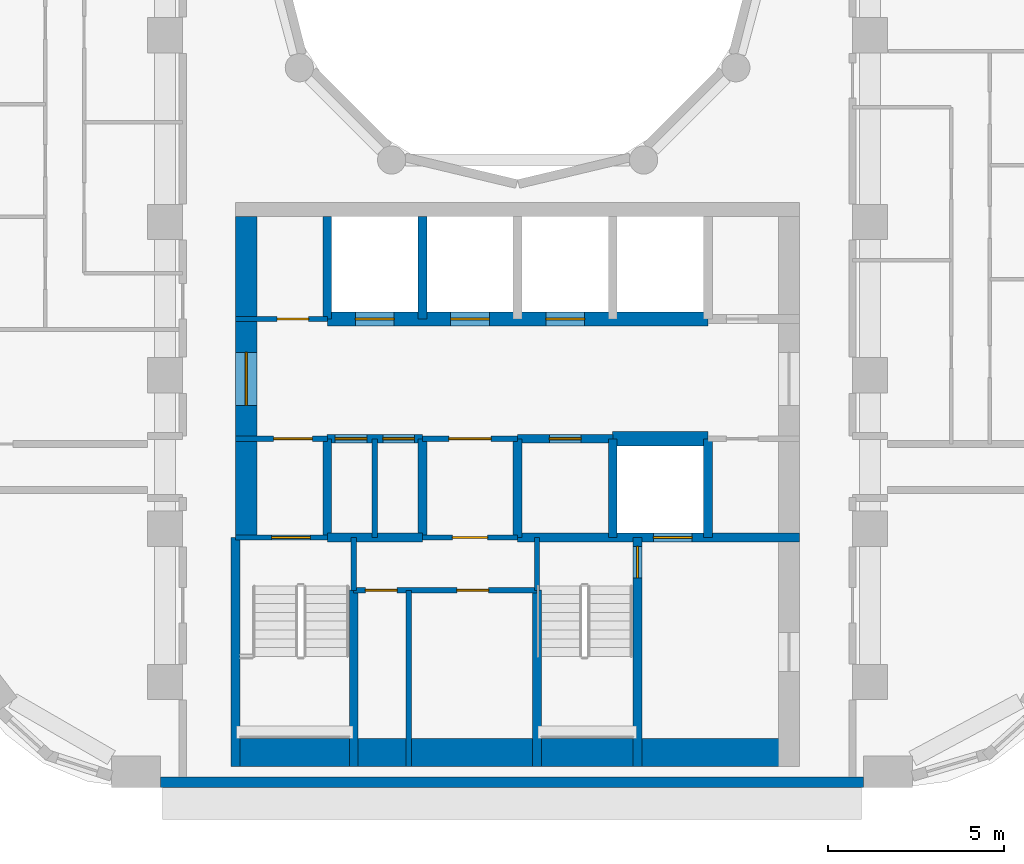
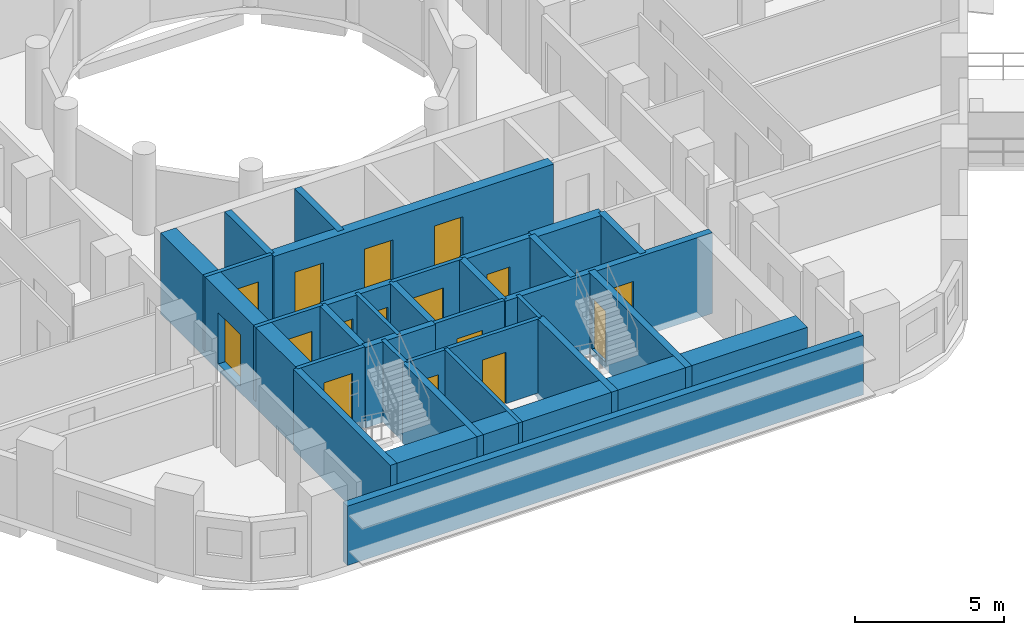
# One storey, part 3 of 14: 30 walls, 16 doors, 16 openings.
"""IFC4 building model written with IfcOpenShell, lengths in metres."""

import ifcopenshell
import ifcopenshell.guid

model = None  # the IFC model being written
_history = None  # IfcOwnerHistory: only IFC2X3 demands one
_inside = {}  # id of a spatial element -> (the spatial element, [elements in it])
_under = {}  # id of a project, library or spatial element -> (it, [spatial elements below it])
_declared = {}  # id of a project -> (the project, [libraries it declares])
_typed = {}  # id of a type object -> (the type object, [elements of that type])
_made_of = {}  # id of a material, layer set ... -> (it, [elements and type objects made of it])


def new_model(schema):
    """Start an empty IFC model of exactly this schema.

    Asked for "IFC4X3", IfcOpenShell would pick the latest addendum, in which some entities
    have other attributes; the version numbers below select the first issue.
    IFC2X3 requires an IfcOwnerHistory on every rooted entity: one is made here for all.
    """
    global model, _history
    if schema == "IFC4X3":
        model = ifcopenshell.file(schema_version=(4, 3, 0, 0))
    else:
        model = ifcopenshell.file(schema=schema)
    _inside.clear()
    _under.clear()
    _declared.clear()
    _typed.clear()
    _made_of.clear()
    _history = None
    if model.schema == "IFC2X3":
        org = make("IfcOrganization", Name="unknown")
        user = make(
            "IfcPersonAndOrganization",
            ThePerson=make("IfcPerson", FamilyName="unknown"),
            TheOrganization=org,
        )
        app = make(
            "IfcApplication",
            ApplicationDeveloper=org,
            Version="unknown",
            ApplicationFullName="unknown",
            ApplicationIdentifier="unknown",
        )
        _history = make(
            "IfcOwnerHistory",
            OwningUser=user,
            OwningApplication=app,
            ChangeAction="ADDED",
            CreationDate=0,
        )
    return model


def make(cls, **values):
    """One entity of the class cls with the attributes given. An attribute that is None is left unset."""
    return model.create_entity(
        cls, **{name: value for name, value in values.items() if value is not None}
    )


def rooted(cls, **values):
    """An entity with a GlobalId (a new one), such as an element, a storey or a relation."""
    return make(cls, GlobalId=ifcopenshell.guid.new(), OwnerHistory=_history, **values)


def si_unit(unit_type, name, prefix=None):
    """IfcSIUnit, for example si_unit("LENGTHUNIT", "METRE", prefix="MILLI")."""
    return make("IfcSIUnit", UnitType=unit_type, Prefix=prefix, Name=name)


def assignment(units):
    """IfcUnitAssignment: the units of a project."""
    return None if units is None else make("IfcUnitAssignment", Units=units)


def point(xyz):
    """IfcCartesianPoint."""
    return None if xyz is None else make("IfcCartesianPoint", Coordinates=xyz)


def direction(xyz):
    """IfcDirection."""
    return None if xyz is None else make("IfcDirection", DirectionRatios=xyz)


def frame(location, z_axis=None, x_axis=None):
    """IfcAxis2Placement3D, a coordinate frame: its origin and axes. An axis left out is left unset."""
    return make(
        "IfcAxis2Placement3D",
        Location=point(location),
        Axis=direction(z_axis),
        RefDirection=direction(x_axis),
    )


def frame_2d(location, x_axis=None):
    """IfcAxis2Placement2D, a coordinate frame in the plane: its origin and x axis."""
    return make(
        "IfcAxis2Placement2D", Location=point(location), RefDirection=direction(x_axis)
    )


def origin():
    """The frame at (0, 0, 0) with its axes left unset."""
    return frame((0.0, 0.0, 0.0))


def place(relative_to, where):
    """IfcLocalPlacement: puts the frame where relative to a parent placement (None: the world)."""
    return make(
        "IfcLocalPlacement", PlacementRelTo=relative_to, RelativePlacement=where
    )


def context(
    kind, dimensions, precision=None, world=None, true_north=None, identifier=None
):
    """IfcGeometricRepresentationContext, for example the 3D "Model" context."""
    return make(
        "IfcGeometricRepresentationContext",
        ContextIdentifier=identifier,
        ContextType=kind,
        CoordinateSpaceDimension=dimensions,
        Precision=precision,
        WorldCoordinateSystem=world,
        TrueNorth=true_north,
    )


def subcontext(parent, identifier, kind, view, scale=None):
    """IfcGeometricRepresentationSubContext, for example "Body" below "Model"."""
    return make(
        "IfcGeometricRepresentationSubContext",
        ContextIdentifier=identifier,
        ContextType=kind,
        ParentContext=parent,
        TargetScale=scale,
        TargetView=view,
    )


def project(units=None, contexts=None):
    """IfcProject with its units and contexts."""
    return rooted(
        "IfcProject",
        Name="project",
        RepresentationContexts=contexts,
        UnitsInContext=assignment(units),
    )


def spatial(cls, under=None, at=None, **own):
    """A site, building, storey or space (cls), placed at a placement, below another one or the project."""
    s = rooted(cls, ObjectPlacement=at, **own)
    if under is not None:
        _under.setdefault(under.id(), (under, []))[1].append(s)
    return s


def profile(cls, at=None, kind="AREA", **sizes):
    """A parametric profile (cls). Its sizes go by their IFC names, for example OverallWidth=200.0."""
    return make(cls, ProfileType=kind, Position=at, **sizes)


def rectangle(**sizes):
    """IfcRectangleProfileDef."""
    return profile("IfcRectangleProfileDef", **sizes)


def extrude(swept, where, along, depth):
    """IfcExtrudedAreaSolid: the profile swept, set in the frame where, extruded along a direction by depth."""
    return make(
        "IfcExtrudedAreaSolid",
        SweptArea=swept,
        Position=where,
        ExtrudedDirection=direction(along),
        Depth=depth,
    )


def shape(context_of_items, identifier, shape_type, items):
    """IfcShapeRepresentation: the items that make up one representation, for example the "Body"."""
    return make(
        "IfcShapeRepresentation",
        ContextOfItems=context_of_items,
        RepresentationIdentifier=identifier,
        RepresentationType=shape_type,
        Items=items,
    )


def material(Name=None, Category=None):
    """IfcMaterial."""
    return make("IfcMaterial", Name=Name, Category=Category)


def layer(
    of_material, thickness, ventilated=None, Name=None, Category=None, Priority=None
):
    """IfcMaterialLayer: one layer of a wall or slab, of a material (None: an air gap)."""
    return make(
        "IfcMaterialLayer",
        Material=of_material,
        LayerThickness=thickness,
        IsVentilated=ventilated,
        Name=Name,
        Category=Category,
        Priority=Priority,
    )


def layer_set(layers, Name=None):
    """IfcMaterialLayerSet."""
    return make("IfcMaterialLayerSet", MaterialLayers=layers, LayerSetName=Name)


def made_of(thing, what):
    """Note that an element or type object is made of a material, layer set ...; save() writes the relation."""
    if what is not None:
        _made_of.setdefault(what.id(), (what, []))[1].append(thing)
    return thing


def type_object(cls, material=None, **own):
    """A type object (cls), such as IfcWallType, which elements share."""
    return made_of(rooted(cls, **own), material)


def element(
    cls,
    number,
    at=None,
    inside=None,
    cuts=None,
    type_object=None,
    material=None,
    context=None,
    identifier="Body",
    shape_type=None,
    held_by="IfcProductDefinitionShape",
    body=None,
    shapes=None,
    **own,
):
    """One element of the class cls, such as IfcWall. Its Tag is "e" and its number.

    at: its placement. inside: the storey or other place that contains it. cuts: it is an
    opening in that element (IfcRelVoidsElement). A single representation is given by context,
    identifier, shape_type and body (its items); several are given by shapes. held_by: the class
    of the entity that holds the representations. save() writes the other relations.
    """
    e = rooted(cls, Tag="e%d" % number, ObjectPlacement=at, **own)
    if body is not None:
        shapes = [shape(context, identifier, shape_type, body)]
    if shapes is not None:
        e.Representation = make(held_by, Representations=shapes)
    if inside is not None:
        _inside.setdefault(inside.id(), (inside, []))[1].append(e)
    if cuts is not None:
        rooted(
            "IfcRelVoidsElement", RelatingBuildingElement=cuts, RelatedOpeningElement=e
        )
    if type_object is not None:
        _typed.setdefault(type_object.id(), (type_object, []))[1].append(e)
    return made_of(e, material)


def fill(opening, filler):
    """IfcRelFillsElement: the door or window that sits in an opening."""
    return rooted(
        "IfcRelFillsElement",
        RelatingOpeningElement=opening,
        RelatedBuildingElement=filler,
    )


def aggregate(whole, parts):
    """IfcRelAggregates: a whole, such as a stair, and the parts it consists of."""
    return rooted("IfcRelAggregates", RelatingObject=whole, RelatedObjects=parts)


def save(model, path):
    """Write the relations noted so far, then the file.

    IfcRelAggregates (storeys below a building ...), IfcRelContainedInSpatialStructure (elements
    in a storey), IfcRelDefinesByType, IfcRelAssociatesMaterial and IfcRelDeclares: one each for
    every whole, place, type object, material and project.
    """
    for whole, parts in _under.values():
        aggregate(whole, parts)
    for where, things in _inside.values():
        rooted(
            "IfcRelContainedInSpatialStructure",
            RelatedElements=things,
            RelatingStructure=where,
        )
    for kind, things in _typed.values():
        rooted("IfcRelDefinesByType", RelatedObjects=things, RelatingType=kind)
    for what, things in _made_of.values():
        rooted("IfcRelAssociatesMaterial", RelatedObjects=things, RelatingMaterial=what)
    for by, libraries in _declared.values():
        rooted("IfcRelDeclares", RelatingContext=by, RelatedDefinitions=libraries)
    model.write(path)


model = new_model("IFC4")

# Units and contexts
model_context = context("Model", 3, precision=1e-05, world=origin(), true_north=direction((0.0, 1.0)))
body_context = subcontext(model_context, "Body", "Model", "MODEL_VIEW")
ifc_project = project(units=[si_unit("LENGTHUNIT", "METRE"), si_unit("AREAUNIT", "SQUARE_METRE"), si_unit("VOLUMEUNIT", "CUBIC_METRE"), si_unit("PLANEANGLEUNIT", "RADIAN"), si_unit("MASSUNIT", "GRAM", prefix="KILO")], contexts=[model_context])

# Site, building, storey
site_placement = place(None, origin())
site = spatial("IfcSite", under=ifc_project, at=site_placement, CompositionType="ELEMENT")
building_placement = place(site_placement, origin())
building = spatial("IfcBuilding", under=site, at=building_placement, Name="Nakaniwa Court", CompositionType="ELEMENT")
storey_placement = place(building_placement, frame((0.0, 0.0, 110.699951171875)))
storey = spatial("IfcBuildingStorey", under=building, at=storey_placement, Name="L29", CompositionType="ELEMENT", Elevation=110.699951171875)

# Wall
ifc_material_1 = material(Name="Charcoal ceramic cladding")
ifc_layer_1 = layer(ifc_material_1, 0.02, Name="Ceramic cladding")
ifc_material_2 = material(Name="Ventilated air cavity")
ifc_layer_2 = layer(ifc_material_2, 0.04, ventilated=True, Name="Ventilated cavity")
ifc_material_3 = material(Name="Mineral wool insulation")
ifc_layer_3 = layer(ifc_material_3, 0.1, Name="Insulation")
ifc_material_4 = material(Name="Cement bonded sheathing board")
ifc_layer_4 = layer(ifc_material_4, 0.012, Name="Sheathing")
ifc_material_5 = material(Name="Cold-formed galvanised stud frame with mineral wool infill")
ifc_layer_5 = layer(ifc_material_5, 0.1, Name="Stud frame")
ifc_material_6 = material(Name="Fire-rated gypsum plasterboard lining")
ifc_layer_6 = layer(ifc_material_6, 0.028, Name="Lining")
ifc_layer_set_1 = layer_set([ifc_layer_1, ifc_layer_2, ifc_layer_3, ifc_layer_4, ifc_layer_5, ifc_layer_6], Name="Charcoal ceramic faced external wall system")
wall_type_1 = type_object("IfcWallType", Name="Black ceramic faced external wall 300", PredefinedType="SOLIDWALL", material=ifc_layer_set_1)
wall_1_placement = place(storey_placement, frame((69.871337890625, 56.14990234375, 0.0), z_axis=(0.0, 0.0, 1.0), x_axis=(1.0, 0.0, 0.0)))
element("IfcWall", 1, at=wall_1_placement, inside=storey, type_object=wall_type_1, Name="L29 external wall 26", PredefinedType="SOLIDWALL", context=body_context, shape_type="SweptSolid", body=[
    extrude(rectangle(XDim=19.939697265625, YDim=0.300048828125, at=frame_2d((9.9697265625, 0.0))), origin(), (0.0, 0.0, 1.0), 2.425048828125),
])

# Wall, opening, door
ifc_material_7 = material(Name="Blockwork partition", Category="masonry")
ifc_layer_7 = layer(ifc_material_7, 0.14990234375)
ifc_layer_set_2 = layer_set([ifc_layer_7], Name="Blockwork partition")
wall_type_2 = type_object("IfcWallType", Name="Blockwork partition 150", PredefinedType="PARTITIONING", material=ifc_layer_set_2)
wall_2_placement = place(storey_placement, frame((72.0, 69.300048828125, 0.0), z_axis=(0.0, 0.0, 1.0), x_axis=(1.0, 0.0, 0.0)))
wall_2 = element("IfcWall", 2, at=wall_2_placement, inside=storey, type_object=wall_type_2, Name="Partition PW-037", PredefinedType="PARTITIONING", context=body_context, shape_type="SweptSolid", body=[
    extrude(rectangle(XDim=2.60009765625, YDim=0.14990234375, at=frame_2d((1.300048828125, 0.0))), origin(), (0.0, 0.0, 1.0), 3.025146484375),
])
opening_1_placement = place(wall_2_placement, frame((1.175048828125, 0.0, 0.0)))
opening_1 = element("IfcOpeningElement", 3, at=opening_1_placement, cuts=wall_2, Name="Opening D-05-09", PredefinedType="OPENING", context=body_context, shape_type="SweptSolid", body=[
    extrude(rectangle(XDim=0.89990234375, YDim=2.10009765625, at=frame_2d((0.449951171875, 1.050048828125))), frame((0.0, 0.0849609375, 0.0), z_axis=(0.0, -1.0, 0.0), x_axis=(1.0, 0.0, 0.0)), (0.0, 0.0, 1.0), 0.169921875),
])
ifc_material_8 = material(Name="Fire rated steel door set", Category="steel")
door_type_1 = type_object("IfcDoorType", Name="Service room door 900", OperationType="NOTDEFINED", PredefinedType="DOOR", material=ifc_material_8)
door_1_placement = place(opening_1_placement, origin())
door_1 = element("IfcDoor", 4, at=door_1_placement, inside=storey, type_object=door_type_1, Name="Door D-05-09 L29-014", OperationType="SINGLE_SWING_LEFT", OverallHeight=2.10009765625, OverallWidth=0.89990234375, PredefinedType="DOOR", context=body_context, shape_type="SweptSolid", body=[
    extrude(rectangle(XDim=0.89990234375, YDim=2.10009765625, at=frame_2d((0.449951171875, 1.050048828125))), frame((0.0, 0.02490234375, 0.0), z_axis=(0.0, -1.0, 0.0), x_axis=(1.0, 0.0, 0.0)), (0.0, 0.0, 1.0), 0.050048828125),
])
fill(opening_1, door_1)

wall_3_placement = place(storey_placement, frame((74.60302734375, 65.89990234375, 0.0), z_axis=(0.0, 0.0, 1.0), x_axis=(-1.0, 0.0, 0.0)))
wall_3 = element("IfcWall", 5, at=wall_3_placement, inside=storey, type_object=wall_type_2, Name="Partition PW-050", PredefinedType="PARTITIONING", context=body_context, shape_type="SweptSolid", body=[
    extrude(rectangle(XDim=2.60302734375, YDim=0.14990234375, at=frame_2d((1.301513671875, 0.0))), origin(), (0.0, 0.0, 1.0), 3.025146484375),
])
opening_2_placement = place(wall_3_placement, frame((0.427978515625, 0.0, 0.0)))
opening_2 = element("IfcOpeningElement", 6, at=opening_2_placement, cuts=wall_3, Name="Opening D-08-02", PredefinedType="OPENING", context=body_context, shape_type="SweptSolid", body=[
    extrude(rectangle(XDim=1.10009765625, YDim=2.10009765625, at=frame_2d((0.550048828125, 1.050048828125))), frame((0.0, 0.0849609375, 0.0), z_axis=(0.0, -1.0, 0.0), x_axis=(1.0, 0.0, 0.0)), (0.0, 0.0, 1.0), 0.169921875),
])
door_type_2 = type_object("IfcDoorType", Name="Stair lobby door 1100", OperationType="NOTDEFINED", PredefinedType="DOOR", material=ifc_material_8)
door_2_placement = place(opening_2_placement, origin())
door_2 = element("IfcDoor", 7, at=door_2_placement, inside=storey, type_object=door_type_2, Name="Door D-08-02 L29-016", OperationType="SINGLE_SWING_LEFT", OverallHeight=2.10009765625, OverallWidth=1.10009765625, PredefinedType="DOOR", context=body_context, shape_type="SweptSolid", body=[
    extrude(rectangle(XDim=1.10009765625, YDim=2.10009765625, at=frame_2d((0.550048828125, 1.050048828125))), frame((0.0, 0.02490234375, 0.0), z_axis=(0.0, -1.0, 0.0), x_axis=(1.0, 0.0, 0.0)), (0.0, 0.0, 1.0), 0.050048828125),
])
fill(opening_2, door_2)

wall_4_placement = place(storey_placement, frame((80.0029296875, 65.89990234375, 0.0), z_axis=(0.0, 0.0, 1.0), x_axis=(-1.0, 0.0, 0.0)))
wall_4 = element("IfcWall", 8, at=wall_4_placement, inside=storey, type_object=wall_type_2, Name="Partition PW-051", PredefinedType="PARTITIONING", context=body_context, shape_type="SweptSolid", body=[
    extrude(rectangle(XDim=2.705810546875, YDim=0.14990234375, at=frame_2d((1.35302734375, 0.0))), origin(), (0.0, 0.0, 1.0), 3.025146484375),
])
opening_3_placement = place(wall_4_placement, frame((0.7529296875, 0.0, 0.0)))
opening_3 = element("IfcOpeningElement", 9, at=opening_3_placement, cuts=wall_4, Name="Opening D-06-02", PredefinedType="OPENING", context=body_context, shape_type="SweptSolid", body=[
    extrude(rectangle(XDim=1.199951171875, YDim=2.10009765625, at=frame_2d((0.60009765625, 1.050048828125))), frame((0.0, 0.0849609375, 0.0), z_axis=(0.0, -1.0, 0.0), x_axis=(1.0, 0.0, 0.0)), (0.0, 0.0, 1.0), 0.169921875),
])
ifc_material_9 = material(Name="Fire rated steel double door set", Category="steel")
door_type_3 = type_object("IfcDoorType", Name="Service passage double door 1200", OperationType="NOTDEFINED", PredefinedType="DOOR", material=ifc_material_9)
door_3_placement = place(opening_3_placement, origin())
door_3 = element("IfcDoor", 10, at=door_3_placement, inside=storey, type_object=door_type_3, Name="Door D-06-02 L29-019", OperationType="DOUBLE_DOOR_SINGLE_SWING", OverallHeight=2.10009765625, OverallWidth=1.199951171875, PredefinedType="DOOR", context=body_context, shape_type="SweptSolid", body=[
    extrude(rectangle(XDim=1.199951171875, YDim=2.10009765625, at=frame_2d((0.60009765625, 1.050048828125))), frame((0.0, 0.02490234375, 0.0), z_axis=(0.0, -1.0, 0.0), x_axis=(1.0, 0.0, 0.0)), (0.0, 0.0, 1.0), 0.050048828125),
])
fill(opening_3, door_3)

# Wall
wall_5_placement = place(storey_placement, frame((75.949951171875, 63.10009765625, 0.0), z_axis=(0.0, 0.0, 1.0), x_axis=(0.0, 1.0, 0.0)))
element("IfcWall", 11, at=wall_5_placement, inside=storey, type_object=wall_type_2, Name="Partition PW-057", PredefinedType="PARTITIONING", context=body_context, shape_type="SweptSolid", body=[
    extrude(rectangle(XDim=2.7998046875, YDim=0.14990234375, at=frame_2d((1.39990234375, 0.0))), origin(), (0.0, 0.0, 1.0), 3.025146484375),
])

# Wall, opening, door
wall_6_placement = place(storey_placement, frame((80.0, 63.10009765625, 0.0), z_axis=(0.0, 0.0, 1.0), x_axis=(-1.0, 0.0, 0.0)))
wall_6 = element("IfcWall", 12, at=wall_6_placement, inside=storey, type_object=wall_type_2, Name="Partition PW-060", PredefinedType="PARTITIONING", context=body_context, shape_type="SweptSolid", body=[
    extrude(rectangle(XDim=2.699951171875, YDim=0.14990234375, at=frame_2d((1.35009765625, 0.0))), origin(), (0.0, 0.0, 1.0), 3.025146484375),
])
opening_4_placement = place(wall_6_placement, frame((0.85009765625, 0.0, 0.0)))
opening_4 = element("IfcOpeningElement", 13, at=opening_4_placement, cuts=wall_6, Name="Opening D-23-02", PredefinedType="OPENING", context=body_context, shape_type="SweptSolid", body=[
    extrude(rectangle(XDim=1.0, YDim=2.10009765625, at=frame_2d((0.5, 1.050048828125))), frame((0.0, 0.0849609375, 0.0), z_axis=(0.0, -1.0, 0.0), x_axis=(1.0, 0.0, 0.0)), (0.0, 0.0, 1.0), 0.169921875),
])
door_type_4 = type_object("IfcDoorType", Name="Service room door 1000", OperationType="NOTDEFINED", PredefinedType="DOOR", material=ifc_material_8)
door_4_placement = place(opening_4_placement, origin())
door_4 = element("IfcDoor", 14, at=door_4_placement, inside=storey, type_object=door_type_4, Name="Door D-23-02 L29-022", OperationType="SINGLE_SWING_LEFT", OverallHeight=2.10009765625, OverallWidth=1.0, PredefinedType="DOOR", context=body_context, shape_type="SweptSolid", body=[
    extrude(rectangle(XDim=1.0, YDim=2.10009765625, at=frame_2d((0.5, 1.050048828125))), frame((0.0, 0.02490234375, 0.0), z_axis=(0.0, -1.0, 0.0), x_axis=(1.0, 0.0, 0.0)), (0.0, 0.0, 1.0), 0.050048828125),
])
fill(opening_4, door_4)

# Wall, openings, doors
wall_7_placement = place(storey_placement, frame((80.550048828125, 61.60009765625, 0.0), z_axis=(0.0, 0.0, 1.0), x_axis=(-1.0, 0.0, 0.0)))
wall_7 = element("IfcWall", 15, at=wall_7_placement, inside=storey, type_object=wall_type_2, Name="Partition PW-067", PredefinedType="PARTITIONING", context=body_context, shape_type="SweptSolid", body=[
    extrude(rectangle(XDim=5.199951171875, YDim=0.14990234375, at=frame_2d((2.60009765625, 0.0))), origin(), (0.0, 0.0, 1.0), 3.025146484375),
])
opening_5_placement = place(wall_7_placement, frame((3.969970703125, 0.0, 0.0)))
opening_5 = element("IfcOpeningElement", 16, at=opening_5_placement, cuts=wall_7, Name="Opening D-05-15", PredefinedType="OPENING", context=body_context, shape_type="SweptSolid", body=[
    extrude(rectangle(XDim=0.89990234375, YDim=2.10009765625, at=frame_2d((0.449951171875, 1.050048828125))), frame((0.0, 0.0849609375, 0.0), z_axis=(0.0, -1.0, 0.0), x_axis=(1.0, 0.0, 0.0)), (0.0, 0.0, 1.0), 0.169921875),
])
opening_6_placement = place(wall_7_placement, frame((1.3701171875, 0.0, 0.0)))
opening_6 = element("IfcOpeningElement", 17, at=opening_6_placement, cuts=wall_7, Name="Opening D-05-16", PredefinedType="OPENING", context=body_context, shape_type="SweptSolid", body=[
    extrude(rectangle(XDim=0.89990234375, YDim=2.10009765625, at=frame_2d((0.449951171875, 1.050048828125))), frame((0.0, 0.0849609375, 0.0), z_axis=(0.0, -1.0, 0.0), x_axis=(1.0, 0.0, 0.0)), (0.0, 0.0, 1.0), 0.169921875),
])
door_5_placement = place(opening_5_placement, origin())
door_5 = element("IfcDoor", 18, at=door_5_placement, inside=storey, type_object=door_type_1, Name="Door D-05-15 L29-023", OperationType="SINGLE_SWING_RIGHT", OverallHeight=2.10009765625, OverallWidth=0.89990234375, PredefinedType="DOOR", context=body_context, shape_type="SweptSolid", body=[
    extrude(rectangle(XDim=0.89990234375, YDim=2.10009765625, at=frame_2d((0.449951171875, 1.050048828125))), frame((0.0, 0.02490234375, 0.0), z_axis=(0.0, -1.0, 0.0), x_axis=(1.0, 0.0, 0.0)), (0.0, 0.0, 1.0), 0.050048828125),
])
fill(opening_5, door_5)
door_6_placement = place(opening_6_placement, origin())
door_6 = element("IfcDoor", 19, at=door_6_placement, inside=storey, type_object=door_type_1, Name="Door D-05-16 L29-024", OperationType="SINGLE_SWING_LEFT", OverallHeight=2.10009765625, OverallWidth=0.89990234375, PredefinedType="DOOR", context=body_context, shape_type="SweptSolid", body=[
    extrude(rectangle(XDim=0.89990234375, YDim=2.10009765625, at=frame_2d((0.449951171875, 1.050048828125))), frame((0.0, 0.02490234375, 0.0), z_axis=(0.0, -1.0, 0.0), x_axis=(1.0, 0.0, 0.0)), (0.0, 0.0, 1.0), 0.050048828125),
])
fill(opening_6, door_6)

# Wall
wall_8_placement = place(storey_placement, frame((76.909912109375, 56.60009765625, 0.0), z_axis=(0.0, 0.0, 1.0), x_axis=(0.0, 1.0, 0.0)))
element("IfcWall", 20, at=wall_8_placement, inside=storey, type_object=wall_type_2, Name="Partition PW-068", PredefinedType="PARTITIONING", context=body_context, shape_type="SweptSolid", body=[
    extrude(rectangle(XDim=5.0, YDim=0.14990234375, at=frame_2d((2.5, 0.0))), origin(), (0.0, 0.0, 1.0), 3.025146484375),
])

# Wall, opening, door
ifc_material_10 = material(Name="Concrete C80/100", Category="concrete")
ifc_layer_8 = layer(ifc_material_10, 0.60009765625)
ifc_layer_set_3 = layer_set([ifc_layer_8], Name="Concrete C80/100")
wall_type_3 = type_object("IfcWallType", Name="Concrete core side wall 600 C80", PredefinedType="SHEAR", material=ifc_layer_set_3)
wall_9_placement = place(storey_placement, frame((72.300048828125, 63.10009765625, -0.27490234375), z_axis=(0.0, 0.0, 1.0), x_axis=(0.0, 1.0, 0.0)))
wall_9 = element("IfcWall", 21, at=wall_9_placement, inside=storey, type_object=wall_type_3, Name="Core wall SW-38", PredefinedType="SHEAR", context=body_context, shape_type="SweptSolid", body=[
    extrude(rectangle(XDim=9.099853515625, YDim=0.60009765625, at=frame_2d((4.5498046875, 0.0))), origin(), (0.0, 0.0, 1.0), 3.300048828125),
])
opening_7_placement = place(wall_9_placement, frame((3.75, 0.0, 0.27490234375)))
opening_7 = element("IfcOpeningElement", 22, at=opening_7_placement, cuts=wall_9, Name="Opening D-07-04", PredefinedType="OPENING", context=body_context, shape_type="SweptSolid", body=[
    extrude(rectangle(XDim=1.5, YDim=2.10009765625, at=frame_2d((0.75, 1.050048828125))), frame((0.0, 0.31005859375, 0.0), z_axis=(0.0, -1.0, 0.0), x_axis=(1.0, 0.0, 0.0)), (0.0, 0.0, 1.0), 0.6201171875),
])
ifc_material_11 = material(Name="Glazed fire rated steel double door set", Category="steel")
door_type_5 = type_object("IfcDoorType", Name="Lobby double door 1500", OperationType="NOTDEFINED", PredefinedType="DOOR", material=ifc_material_11)
door_7_placement = place(opening_7_placement, origin())
door_7 = element("IfcDoor", 23, at=door_7_placement, inside=storey, type_object=door_type_5, Name="Door D-07-04 L29-058", OperationType="DOUBLE_DOOR_SINGLE_SWING", OverallHeight=2.10009765625, OverallWidth=1.5, PredefinedType="DOOR", context=body_context, shape_type="SweptSolid", body=[
    extrude(rectangle(XDim=1.5, YDim=2.10009765625, at=frame_2d((0.75, 1.050048828125))), frame((0.0, 0.02490234375, 0.0), z_axis=(0.0, -1.0, 0.0), x_axis=(1.0, 0.0, 0.0)), (0.0, 0.0, 1.0), 0.050048828125),
])
fill(opening_7, door_7)

# Wall, openings, doors
ifc_layer_9 = layer(ifc_material_10, 0.39990234375)
ifc_layer_set_4 = layer_set([ifc_layer_9], Name="Concrete C80/100")
wall_type_4 = type_object("IfcWallType", Name="Concrete core spine wall 400 C80", PredefinedType="SHEAR", material=ifc_layer_set_4)
wall_10_placement = place(storey_placement, frame((74.60009765625, 69.300048828125, -0.27490234375), z_axis=(0.0, 0.0, 1.0), x_axis=(1.0, 0.0, 0.0)))
wall_10 = element("IfcWall", 24, at=wall_10_placement, inside=storey, type_object=wall_type_4, Name="Core wall SW-41", PredefinedType="SHEAR", context=body_context, shape_type="SweptSolid", body=[
    extrude(rectangle(XDim=10.7998046875, YDim=0.39990234375, at=frame_2d((5.39990234375, 0.0))), origin(), (0.0, 0.0, 1.0), 3.300048828125),
])
opening_8_placement = place(wall_10_placement, frame((0.800048828125, 0.0, 0.27490234375)))
opening_8 = element("IfcOpeningElement", 25, at=opening_8_placement, cuts=wall_10, Name="Opening LD05", PredefinedType="OPENING", context=body_context, shape_type="SweptSolid", body=[
    extrude(rectangle(XDim=1.10009765625, YDim=2.10009765625, at=frame_2d((0.550048828125, 1.050048828125))), frame((0.0, 0.2099609375, 0.0), z_axis=(0.0, -1.0, 0.0), x_axis=(1.0, 0.0, 0.0)), (0.0, 0.0, 1.0), 0.419921875),
])
opening_9_placement = place(wall_10_placement, frame((3.5, 0.0, 0.27490234375)))
opening_9 = element("IfcOpeningElement", 26, at=opening_9_placement, cuts=wall_10, Name="Opening LD06", PredefinedType="OPENING", context=body_context, shape_type="SweptSolid", body=[
    extrude(rectangle(XDim=1.10009765625, YDim=2.10009765625, at=frame_2d((0.550048828125, 1.050048828125))), frame((0.0, 0.2099609375, 0.0), z_axis=(0.0, -1.0, 0.0), x_axis=(1.0, 0.0, 0.0)), (0.0, 0.0, 1.0), 0.419921875),
])
opening_10_placement = place(wall_10_placement, frame((6.199951171875, 0.0, 0.27490234375)))
opening_10 = element("IfcOpeningElement", 27, at=opening_10_placement, cuts=wall_10, Name="Opening LD07", PredefinedType="OPENING", context=body_context, shape_type="SweptSolid", body=[
    extrude(rectangle(XDim=1.10009765625, YDim=2.10009765625, at=frame_2d((0.550048828125, 1.050048828125))), frame((0.0, 0.2099609375, 0.0), z_axis=(0.0, -1.0, 0.0), x_axis=(1.0, 0.0, 0.0)), (0.0, 0.0, 1.0), 0.419921875),
])
ifc_material_12 = material(Name="Stainless steel sliding lift landing door", Category="steel")
door_type_6 = type_object("IfcDoorType", Name="Lift landing door 1100", OperationType="NOTDEFINED", PredefinedType="DOOR", material=ifc_material_12)
door_8_placement = place(opening_8_placement, origin())
door_8 = element("IfcDoor", 28, at=door_8_placement, inside=storey, type_object=door_type_6, Name="Lift landing door LD05 L29-005", OperationType="SLIDING_TO_LEFT", OverallHeight=2.10009765625, OverallWidth=1.10009765625, PredefinedType="DOOR", context=body_context, shape_type="SweptSolid", body=[
    extrude(rectangle(XDim=1.10009765625, YDim=2.10009765625, at=frame_2d((0.550048828125, 1.050048828125))), frame((0.0, 0.02490234375, 0.0), z_axis=(0.0, -1.0, 0.0), x_axis=(1.0, 0.0, 0.0)), (0.0, 0.0, 1.0), 0.050048828125),
])
fill(opening_8, door_8)
door_9_placement = place(opening_9_placement, origin())
door_9 = element("IfcDoor", 29, at=door_9_placement, inside=storey, type_object=door_type_6, Name="Lift landing door LD06 L29-006", OperationType="SLIDING_TO_LEFT", OverallHeight=2.10009765625, OverallWidth=1.10009765625, PredefinedType="DOOR", context=body_context, shape_type="SweptSolid", body=[
    extrude(rectangle(XDim=1.10009765625, YDim=2.10009765625, at=frame_2d((0.550048828125, 1.050048828125))), frame((0.0, 0.02490234375, 0.0), z_axis=(0.0, -1.0, 0.0), x_axis=(1.0, 0.0, 0.0)), (0.0, 0.0, 1.0), 0.050048828125),
])
fill(opening_9, door_9)
door_10_placement = place(opening_10_placement, origin())
door_10 = element("IfcDoor", 30, at=door_10_placement, inside=storey, type_object=door_type_6, Name="Lift landing door LD07 L29-007", OperationType="SLIDING_TO_LEFT", OverallHeight=2.10009765625, OverallWidth=1.10009765625, PredefinedType="DOOR", context=body_context, shape_type="SweptSolid", body=[
    extrude(rectangle(XDim=1.10009765625, YDim=2.10009765625, at=frame_2d((0.550048828125, 1.050048828125))), frame((0.0, 0.02490234375, 0.0), z_axis=(0.0, -1.0, 0.0), x_axis=(1.0, 0.0, 0.0)), (0.0, 0.0, 1.0), 0.050048828125),
])
fill(opening_10, door_10)

# Wall
wall_11_placement = place(storey_placement, frame((82.697021484375, 65.89990234375, -0.27490234375), z_axis=(0.0, 0.0, 1.0), x_axis=(1.0, 0.0, 0.0)))
element("IfcWall", 31, at=wall_11_placement, inside=storey, type_object=wall_type_4, Name="Core wall SW-55", PredefinedType="SHEAR", context=body_context, shape_type="SweptSolid", body=[
    extrude(rectangle(XDim=2.7060546875, YDim=0.39990234375, at=frame_2d((1.35302734375, 0.0))), origin(), (0.0, 0.0, 1.0), 3.300048828125),
])

# Wall, opening, door
ifc_layer_10 = layer(ifc_material_10, 0.14990234375)
ifc_layer_set_5 = layer_set([ifc_layer_10], Name="Concrete C80/100")
wall_type_5 = type_object("IfcWallType", Name="Concrete core wall 150 C80", PredefinedType="SHEAR", material=ifc_layer_set_5)
wall_12_placement = place(storey_placement, frame((72.0, 63.10009765625, -0.27490234375), z_axis=(0.0, 0.0, 1.0), x_axis=(1.0, 0.0, 0.0)))
wall_12 = element("IfcWall", 32, at=wall_12_placement, inside=storey, type_object=wall_type_5, Name="Core wall SW-56", PredefinedType="SHEAR", context=body_context, shape_type="SweptSolid", body=[
    extrude(rectangle(XDim=2.60009765625, YDim=0.14990234375, at=frame_2d((1.300048828125, 0.0))), origin(), (0.0, 0.0, 1.0), 3.300048828125),
])
opening_11_placement = place(wall_12_placement, frame((1.02001953125, 0.0, 0.27490234375)))
opening_11 = element("IfcOpeningElement", 33, at=opening_11_placement, cuts=wall_12, Name="Opening D-09-02", PredefinedType="OPENING", context=body_context, shape_type="SweptSolid", body=[
    extrude(rectangle(XDim=1.10009765625, YDim=2.10009765625, at=frame_2d((0.550048828125, 1.050048828125))), frame((0.0, 0.0849609375, 0.0), z_axis=(0.0, -1.0, 0.0), x_axis=(1.0, 0.0, 0.0)), (0.0, 0.0, 1.0), 0.169921875),
])
door_type_7 = type_object("IfcDoorType", Name="Stair door 1100", OperationType="NOTDEFINED", PredefinedType="DOOR", material=ifc_material_8)
door_11_placement = place(opening_11_placement, origin())
door_11 = element("IfcDoor", 34, at=door_11_placement, inside=storey, type_object=door_type_7, Name="Door D-09-02 L29-025", OperationType="SINGLE_SWING_LEFT", OverallHeight=2.10009765625, OverallWidth=1.10009765625, PredefinedType="DOOR", context=body_context, shape_type="SweptSolid", body=[
    extrude(rectangle(XDim=1.10009765625, YDim=2.10009765625, at=frame_2d((0.550048828125, 1.050048828125))), frame((0.0, 0.02490234375, 0.0), z_axis=(0.0, -1.0, 0.0), x_axis=(1.0, 0.0, 0.0)), (0.0, 0.0, 1.0), 0.050048828125),
])
fill(opening_11, door_11)

# Walls
for number, where, z_axis, x_axis, name in (
    (35, (75.35009765625, 61.596923828125, -0.27490234375), (0.0, 0.0, 1.0), (0.0, 1.0, 0.0), "Core wall SW-61"),
    (36, (80.550048828125, 61.596923828125, -0.27490234375), (0.0, 0.0, 1.0), (0.0, 1.0, 0.0), "Core wall SW-65"),
):
    element("IfcWall", number, at=place(storey_placement, frame(where, z_axis=z_axis, x_axis=x_axis)), inside=storey, type_object=wall_type_5, Name=name, PredefinedType="SHEAR", context=body_context, shape_type="SweptSolid", body=[
        extrude(rectangle(XDim=1.503173828125, YDim=0.14990234375, at=frame_2d((0.75146484375, 0.0))), origin(), (0.0, 0.0, 1.0), 3.300048828125),
    ])
ifc_layer_11 = layer(ifc_material_10, 0.25)
ifc_layer_set_6 = layer_set([ifc_layer_11], Name="Concrete C80/100")
wall_type_6 = type_object("IfcWallType", Name="Concrete core wall 250 C80", PredefinedType="SHEAR", material=ifc_layer_set_6)
wall_13_placement = place(storey_placement, frame((72.0, 56.60009765625, -0.27490234375), z_axis=(0.0, 0.0, 1.0), x_axis=(0.0, 1.0, 0.0)))
element("IfcWall", 37, at=wall_13_placement, inside=storey, type_object=wall_type_6, Name="Core wall SW-63", PredefinedType="SHEAR", context=body_context, shape_type="SweptSolid", body=[
    extrude(rectangle(XDim=6.5, YDim=0.25, at=frame_2d((3.25, 0.0))), origin(), (0.0, 0.0, 1.0), 3.300048828125),
])
ifc_layer_12 = layer(ifc_material_10, 0.800048828125)
ifc_layer_set_7 = layer_set([ifc_layer_12], Name="Concrete C80/100")
wall_type_7 = type_object("IfcWallType", Name="Concrete core wall 800 C80", PredefinedType="SHEAR", material=ifc_layer_set_7)
wall_14_placement = place(storey_placement, frame((72.00390625, 57.0, -0.27490234375), z_axis=(0.0, 0.0, 1.0), x_axis=(1.0, 0.0, 0.0)))
element("IfcWall", 38, at=wall_14_placement, inside=storey, type_object=wall_type_7, Name="Core wall SW-135", PredefinedType="SHEAR", context=body_context, shape_type="SweptSolid", body=[
    extrude(rectangle(XDim=15.9921875, YDim=0.800048828125, at=frame_2d((7.99609375, 0.0))), origin(), (0.0, 0.0, 1.0), 3.300048828125),
])
ifc_layer_13 = layer(ifc_material_10, 0.25)
ifc_layer_set_8 = layer_set([ifc_layer_13], Name="Concrete C80/100")
wall_type_8 = type_object("IfcWallType", Name="Concrete shaft wall 250 C80", PredefinedType="SHEAR", material=ifc_layer_set_8)
wall_15_placement = place(storey_placement, frame((74.60009765625, 63.10009765625, -0.27490234375), z_axis=(0.0, 0.0, 1.0), x_axis=(0.0, 1.0, 0.0)))
element("IfcWall", 39, at=wall_15_placement, inside=storey, type_object=wall_type_8, Name="Core wall SW-35", PredefinedType="SHEAR", context=body_context, shape_type="SweptSolid", body=[
    extrude(rectangle(XDim=2.7998046875, YDim=0.25, at=frame_2d((1.39990234375, 0.0))), origin(), (0.0, 0.0, 1.0), 3.300048828125),
])
wall_16_placement = place(storey_placement, frame((74.60009765625, 69.300048828125, -0.27490234375), z_axis=(0.0, 0.0, 1.0), x_axis=(0.0, 1.0, 0.0)))
element("IfcWall", 40, at=wall_16_placement, inside=storey, type_object=wall_type_8, Name="Core wall SW-36", PredefinedType="SHEAR", context=body_context, shape_type="SweptSolid", body=[
    extrude(rectangle(XDim=2.89990234375, YDim=0.25, at=frame_2d((1.449951171875, 0.0))), origin(), (0.0, 0.0, 1.0), 3.300048828125),
])
wall_17_placement = place(storey_placement, frame((77.300048828125, 63.10009765625, -0.27490234375), z_axis=(0.0, 0.0, 1.0), x_axis=(0.0, 1.0, 0.0)))
element("IfcWall", 41, at=wall_17_placement, inside=storey, type_object=wall_type_8, Name="Core wall SW-39", PredefinedType="SHEAR", context=body_context, shape_type="SweptSolid", body=[
    extrude(rectangle(XDim=2.7998046875, YDim=0.25, at=frame_2d((1.39990234375, 0.0))), origin(), (0.0, 0.0, 1.0), 3.300048828125),
])
wall_18_placement = place(storey_placement, frame((77.300048828125, 69.300048828125, -0.27490234375), z_axis=(0.0, 0.0, 1.0), x_axis=(0.0, 1.0, 0.0)))
element("IfcWall", 42, at=wall_18_placement, inside=storey, type_object=wall_type_8, Name="Core wall SW-40", PredefinedType="SHEAR", context=body_context, shape_type="SweptSolid", body=[
    extrude(rectangle(XDim=2.89990234375, YDim=0.25, at=frame_2d((1.449951171875, 0.0))), origin(), (0.0, 0.0, 1.0), 3.300048828125),
])
for number, where, z_axis, x_axis, name in (
    (43, (80.0, 63.10009765625, -0.27490234375), (0.0, 0.0, 1.0), (0.0, 1.0, 0.0), "Core wall SW-42"),
    (44, (82.699951171875, 63.10009765625, -0.27490234375), (0.0, 0.0, 1.0), (0.0, 1.0, 0.0), "Core wall SW-44"),
    (45, (85.39990234375, 63.10009765625, -0.27490234375), (0.0, 0.0, 1.0), (0.0, 1.0, 0.0), "Core wall SW-46"),
):
    element("IfcWall", number, at=place(storey_placement, frame(where, z_axis=z_axis, x_axis=x_axis)), inside=storey, type_object=wall_type_8, Name=name, PredefinedType="SHEAR", context=body_context, shape_type="SweptSolid", body=[
        extrude(rectangle(XDim=2.7998046875, YDim=0.25, at=frame_2d((1.39990234375, 0.0))), origin(), (0.0, 0.0, 1.0), 3.300048828125),
    ])

# Wall, openings, doors
wall_19_placement = place(storey_placement, frame((77.302978515625, 65.89990234375, -0.27490234375), z_axis=(0.0, 0.0, 1.0), x_axis=(-1.0, 0.0, 0.0)))
wall_19 = element("IfcWall", 46, at=wall_19_placement, inside=storey, type_object=wall_type_8, Name="Core wall SW-53", PredefinedType="SHEAR", context=body_context, shape_type="SweptSolid", body=[
    extrude(rectangle(XDim=2.7060546875, YDim=0.25, at=frame_2d((1.35302734375, 0.0))), origin(), (0.0, 0.0, 1.0), 3.300048828125),
])
opening_12_placement = place(wall_19_placement, frame((1.577880859375, 0.0, 0.27490234375)))
opening_12 = element("IfcOpeningElement", 47, at=opening_12_placement, cuts=wall_19, Name="Opening D-05-11", PredefinedType="OPENING", context=body_context, shape_type="SweptSolid", body=[
    extrude(rectangle(XDim=0.89990234375, YDim=2.10009765625, at=frame_2d((0.449951171875, 1.050048828125))), frame((0.0, 0.135009765625, 0.0), z_axis=(0.0, -1.0, 0.0), x_axis=(1.0, 0.0, 0.0)), (0.0, 0.0, 1.0), 0.27001953125),
])
opening_13_placement = place(wall_19_placement, frame((0.22802734375, 0.0, 0.27490234375)))
opening_13 = element("IfcOpeningElement", 48, at=opening_13_placement, cuts=wall_19, Name="Opening D-05-12", PredefinedType="OPENING", context=body_context, shape_type="SweptSolid", body=[
    extrude(rectangle(XDim=0.89990234375, YDim=2.10009765625, at=frame_2d((0.449951171875, 1.050048828125))), frame((0.0, 0.135009765625, 0.0), z_axis=(0.0, -1.0, 0.0), x_axis=(1.0, 0.0, 0.0)), (0.0, 0.0, 1.0), 0.27001953125),
])
door_12_placement = place(opening_12_placement, origin())
door_12 = element("IfcDoor", 49, at=door_12_placement, inside=storey, type_object=door_type_1, Name="Door D-05-11 L29-017", OperationType="SINGLE_SWING_RIGHT", OverallHeight=2.10009765625, OverallWidth=0.89990234375, PredefinedType="DOOR", context=body_context, shape_type="SweptSolid", body=[
    extrude(rectangle(XDim=0.89990234375, YDim=2.10009765625, at=frame_2d((0.449951171875, 1.050048828125))), frame((0.0, 0.02490234375, 0.0), z_axis=(0.0, -1.0, 0.0), x_axis=(1.0, 0.0, 0.0)), (0.0, 0.0, 1.0), 0.050048828125),
])
fill(opening_12, door_12)
door_13_placement = place(opening_13_placement, origin())
door_13 = element("IfcDoor", 50, at=door_13_placement, inside=storey, type_object=door_type_1, Name="Door D-05-12 L29-018", OperationType="SINGLE_SWING_LEFT", OverallHeight=2.10009765625, OverallWidth=0.89990234375, PredefinedType="DOOR", context=body_context, shape_type="SweptSolid", body=[
    extrude(rectangle(XDim=0.89990234375, YDim=2.10009765625, at=frame_2d((0.449951171875, 1.050048828125))), frame((0.0, 0.02490234375, 0.0), z_axis=(0.0, -1.0, 0.0), x_axis=(1.0, 0.0, 0.0)), (0.0, 0.0, 1.0), 0.050048828125),
])
fill(opening_13, door_13)

# Wall, opening, door
wall_20_placement = place(storey_placement, frame((82.702880859375, 65.89990234375, -0.27490234375), z_axis=(0.0, 0.0, 1.0), x_axis=(-1.0, 0.0, 0.0)))
wall_20 = element("IfcWall", 51, at=wall_20_placement, inside=storey, type_object=wall_type_8, Name="Core wall SW-54", PredefinedType="SHEAR", context=body_context, shape_type="SweptSolid", body=[
    extrude(rectangle(XDim=2.705810546875, YDim=0.25, at=frame_2d((1.35302734375, 0.0))), origin(), (0.0, 0.0, 1.0), 3.300048828125),
])
opening_14_placement = place(wall_20_placement, frame((0.903076171875, 0.0, 0.27490234375)))
opening_14 = element("IfcOpeningElement", 52, at=opening_14_placement, cuts=wall_20, Name="Opening D-05-13", PredefinedType="OPENING", context=body_context, shape_type="SweptSolid", body=[
    extrude(rectangle(XDim=0.89990234375, YDim=2.10009765625, at=frame_2d((0.449951171875, 1.050048828125))), frame((0.0, 0.135009765625, 0.0), z_axis=(0.0, -1.0, 0.0), x_axis=(1.0, 0.0, 0.0)), (0.0, 0.0, 1.0), 0.27001953125),
])
door_14_placement = place(opening_14_placement, origin())
door_14 = element("IfcDoor", 53, at=door_14_placement, inside=storey, type_object=door_type_1, Name="Door D-05-13 L29-020", OperationType="SINGLE_SWING_LEFT", OverallHeight=2.10009765625, OverallWidth=0.89990234375, PredefinedType="DOOR", context=body_context, shape_type="SweptSolid", body=[
    extrude(rectangle(XDim=0.89990234375, YDim=2.10009765625, at=frame_2d((0.449951171875, 1.050048828125))), frame((0.0, 0.02490234375, 0.0), z_axis=(0.0, -1.0, 0.0), x_axis=(1.0, 0.0, 0.0)), (0.0, 0.0, 1.0), 0.050048828125),
])
fill(opening_14, door_14)

# Wall
wall_21_placement = place(storey_placement, frame((74.60009765625, 63.10009765625, -0.27490234375), z_axis=(0.0, 0.0, 1.0), x_axis=(1.0, 0.0, 0.0)))
element("IfcWall", 54, at=wall_21_placement, inside=storey, type_object=wall_type_8, Name="Core wall SW-58", PredefinedType="SHEAR", context=body_context, shape_type="SweptSolid", body=[
    extrude(rectangle(XDim=2.699951171875, YDim=0.25, at=frame_2d((1.35009765625, 0.0))), origin(), (0.0, 0.0, 1.0), 3.300048828125),
])

# Wall, opening, door
wall_22_placement = place(storey_placement, frame((80.0, 63.10009765625, -0.27490234375), z_axis=(0.0, 0.0, 1.0), x_axis=(1.0, 0.0, 0.0)))
wall_22 = element("IfcWall", 55, at=wall_22_placement, inside=storey, type_object=wall_type_8, Name="Core wall SW-59", PredefinedType="SHEAR", context=body_context, shape_type="SweptSolid", body=[
    extrude(rectangle(XDim=8.0, YDim=0.25, at=frame_2d((4.0, 0.0))), origin(), (0.0, 0.0, 1.0), 3.300048828125),
])
opening_15_placement = place(wall_22_placement, frame((3.84912109375, 0.0, 0.27490234375)))
opening_15 = element("IfcOpeningElement", 56, at=opening_15_placement, cuts=wall_22, Name="Opening LD08", PredefinedType="OPENING", context=body_context, shape_type="SweptSolid", body=[
    extrude(rectangle(XDim=1.10009765625, YDim=2.10009765625, at=frame_2d((0.550048828125, 1.050048828125))), frame((0.0, 0.135009765625, 0.0), z_axis=(0.0, -1.0, 0.0), x_axis=(1.0, 0.0, 0.0)), (0.0, 0.0, 1.0), 0.27001953125),
])
door_15_placement = place(opening_15_placement, origin())
door_15 = element("IfcDoor", 57, at=door_15_placement, inside=storey, type_object=door_type_6, Name="Lift landing door LD08 L29-008", OperationType="SLIDING_TO_LEFT", OverallHeight=2.10009765625, OverallWidth=1.10009765625, PredefinedType="DOOR", context=body_context, shape_type="SweptSolid", body=[
    extrude(rectangle(XDim=1.10009765625, YDim=2.10009765625, at=frame_2d((0.550048828125, 1.050048828125))), frame((0.0, 0.02490234375, 0.0), z_axis=(0.0, -1.0, 0.0), x_axis=(1.0, 0.0, 0.0)), (0.0, 0.0, 1.0), 0.050048828125),
])
fill(opening_15, door_15)

# Wall
wall_23_placement = place(storey_placement, frame((75.35009765625, 56.60009765625, -0.27490234375), z_axis=(0.0, 0.0, 1.0), x_axis=(0.0, 1.0, 0.0)))
element("IfcWall", 58, at=wall_23_placement, inside=storey, type_object=wall_type_8, Name="Core wall SW-62", PredefinedType="SHEAR", context=body_context, shape_type="SweptSolid", body=[
    extrude(rectangle(XDim=5.0029296875, YDim=0.25, at=frame_2d((2.50146484375, 0.0))), origin(), (0.0, 0.0, 1.0), 3.300048828125),
])

# Wall, opening, door
wall_24_placement = place(storey_placement, frame((83.39990234375, 63.10009765625, -0.27490234375), z_axis=(0.0, 0.0, 1.0), x_axis=(0.0, -1.0, 0.0)))
wall_24 = element("IfcWall", 59, at=wall_24_placement, inside=storey, type_object=wall_type_8, Name="Core wall SW-64", PredefinedType="SHEAR", context=body_context, shape_type="SweptSolid", body=[
    extrude(rectangle(XDim=6.5, YDim=0.25, at=frame_2d((3.25, 0.0))), origin(), (0.0, 0.0, 1.0), 3.300048828125),
])
opening_16_placement = place(wall_24_placement, frame((0.25, 0.0, 0.27490234375)))
opening_16 = element("IfcOpeningElement", 60, at=opening_16_placement, cuts=wall_24, Name="Opening D-11-02", PredefinedType="OPENING", context=body_context, shape_type="SweptSolid", body=[
    extrude(rectangle(XDim=0.89990234375, YDim=2.10009765625, at=frame_2d((0.449951171875, 1.050048828125))), frame((0.0, 0.135009765625, 0.0), z_axis=(0.0, -1.0, 0.0), x_axis=(1.0, 0.0, 0.0)), (0.0, 0.0, 1.0), 0.27001953125),
])
door_type_8 = type_object("IfcDoorType", Name="Stair door 900", OperationType="NOTDEFINED", PredefinedType="DOOR", material=ifc_material_8)
door_16_placement = place(opening_16_placement, origin())
door_16 = element("IfcDoor", 61, at=door_16_placement, inside=storey, type_object=door_type_8, Name="Door D-11-02 L29-026", OperationType="SINGLE_SWING_RIGHT", OverallHeight=2.10009765625, OverallWidth=0.89990234375, PredefinedType="DOOR", context=body_context, shape_type="SweptSolid", body=[
    extrude(rectangle(XDim=0.89990234375, YDim=2.10009765625, at=frame_2d((0.449951171875, 1.050048828125))), frame((0.0, 0.02490234375, 0.0), z_axis=(0.0, -1.0, 0.0), x_axis=(1.0, 0.0, 0.0)), (0.0, 0.0, 1.0), 0.050048828125),
])
fill(opening_16, door_16)

# Wall
wall_25_placement = place(storey_placement, frame((80.550048828125, 56.60009765625, -0.27490234375), z_axis=(0.0, 0.0, 1.0), x_axis=(0.0, 1.0, 0.0)))
element("IfcWall", 62, at=wall_25_placement, inside=storey, type_object=wall_type_8, Name="Core wall SW-66", PredefinedType="SHEAR", context=body_context, shape_type="SweptSolid", body=[
    extrude(rectangle(XDim=5.0029296875, YDim=0.25, at=frame_2d((2.50146484375, 0.0))), origin(), (0.0, 0.0, 1.0), 3.300048828125),
])

save(model, "model.ifc")
